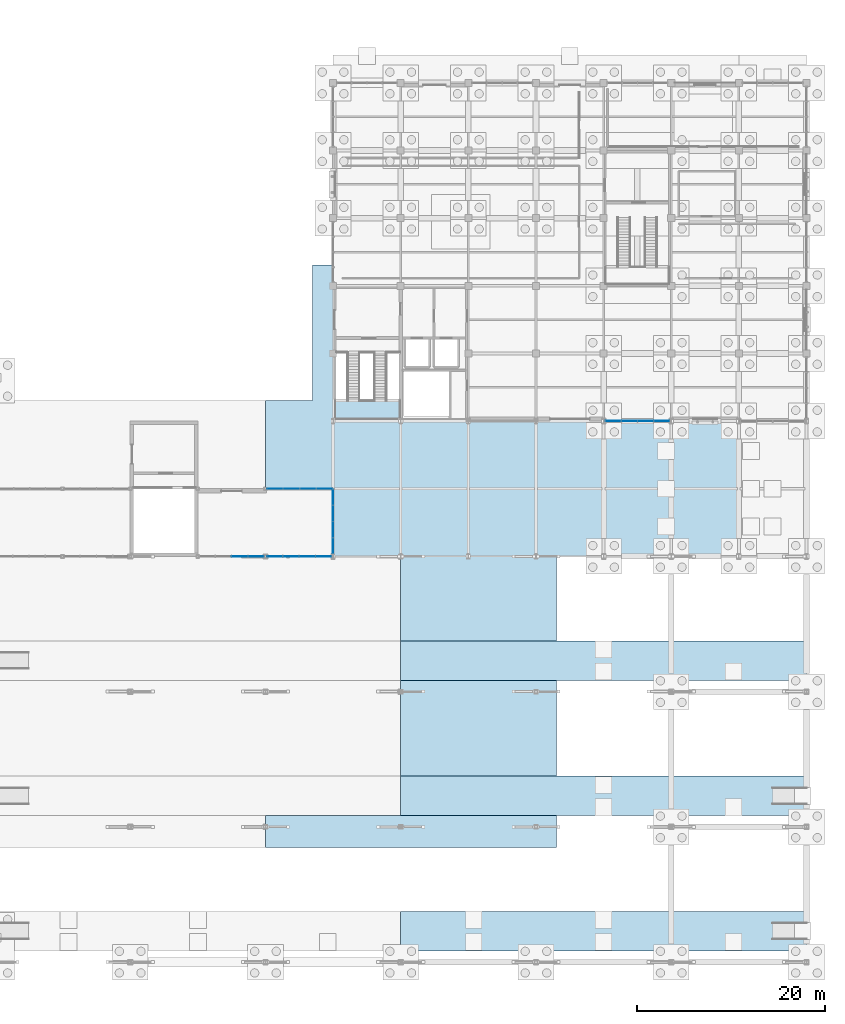
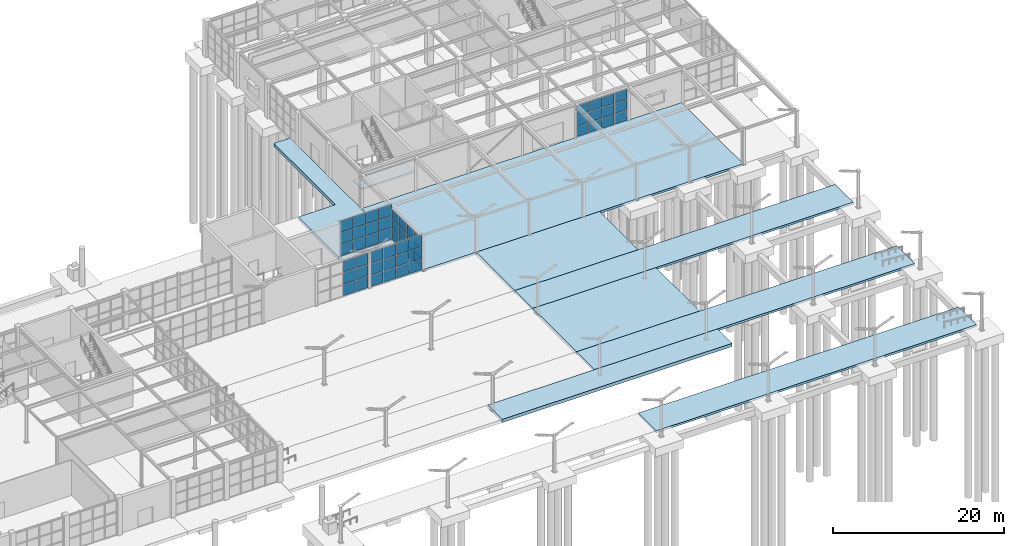
# One storey, part 49 of 75: 54 plates, 9 slabs, 6 elements without a shape of their own.
"""IFC4 building model written with IfcOpenShell, lengths in metres."""

from ifc_helpers import new_model, si_unit, direction, frame, origin, origin_2d, place, context, subcontext, project, spatial, polyline, rectangle, outline, extrude, material, layer, layer_set, type_object, element, aggregate, save


model = new_model("IFC4")

# Units and contexts
model_context = context("Model", 3, precision=1e-05, world=origin(), true_north=direction((0.0, 1.0)))
body_context = subcontext(model_context, "Body", "Model", "MODEL_VIEW")
ifc_project = project(units=[si_unit("LENGTHUNIT", "METRE"), si_unit("AREAUNIT", "SQUARE_METRE"), si_unit("VOLUMEUNIT", "CUBIC_METRE"), si_unit("PLANEANGLEUNIT", "RADIAN"), si_unit("MASSUNIT", "GRAM", prefix="KILO")], contexts=[model_context])

# Site, building, storey
site_placement = place(None, origin())
site = spatial("IfcSite", under=ifc_project, at=site_placement, CompositionType="ELEMENT")
building_placement = place(site_placement, origin())
building = spatial("IfcBuilding", under=site, at=building_placement, Name="Leyfeld Transit Interchange", CompositionType="ELEMENT")
storey_placement = place(building_placement, origin())
storey = spatial("IfcBuildingStorey", under=building, at=storey_placement, Name="L00", CompositionType="ELEMENT", Elevation=0.0)

# Curtain wall, plates
ifc_material_1 = material(Name="Anodised aluminium EN AW-6060 T66", Category="aluminium")
curtain_wall_type_1 = type_object("IfcCurtainWallType", Name="CW-SYS-BUS-7200", PredefinedType="NOTDEFINED", material=ifc_material_1)
curtain_wall_1_placement = place(storey_placement, origin())
curtain_wall_1 = element("IfcCurtainWall", 1, at=curtain_wall_1_placement, inside=storey, type_object=curtain_wall_type_1, Name="Curtain Wall CW-L00-048", PredefinedType="NOTDEFINED")
ifc_material_2 = material(Name="Laminated safety acoustic glazing", Category="glass")
ifc_layer_1 = layer(ifc_material_2, 0.048095703125, Name="Laminated safety acoustic glazing")
ifc_layer_set_1 = layer_set([ifc_layer_1], Name="Laminated safety acoustic glazing")
plate_type_1 = type_object("IfcPlateType", Name="CW-PNL-ACU-48", PredefinedType="CURTAIN_PANEL", material=ifc_layer_set_1)
plate_1_placement = place(storey_placement, frame((171.7763671875, 57.60009765625, 0.0732421875), z_axis=(0.0, 0.0, 1.0), x_axis=(-1.0, 0.0, 0.0)))
plate_1 = element("IfcPlate", 2, at=plate_1_placement, type_object=plate_type_1, Name="Glazed Curtain Panel CW-L00-048-P01_1", PredefinedType="CURTAIN_PANEL", context=body_context, shape_type="SweptSolid", body=[
    extrude(rectangle(XDim=1.62060546875, YDim=0.048095703125, at=origin_2d()), origin(), (0.0, 0.0, 1.0), 1.436279296875),
])
plate_2_placement = place(storey_placement, frame((171.7763671875, 57.60009765625, 1.58203125), z_axis=(0.0, 0.0, 1.0), x_axis=(-1.0, 0.0, 0.0)))
plate_2 = element("IfcPlate", 3, at=plate_2_placement, type_object=plate_type_1, Name="Glazed Curtain Panel CW-L00-048-P01_2", PredefinedType="CURTAIN_PANEL", context=body_context, shape_type="SweptSolid", body=[
    extrude(rectangle(XDim=1.62060546875, YDim=0.048095703125, at=origin_2d()), origin(), (0.0, 0.0, 1.0), 1.436279296875),
])
plate_3_placement = place(storey_placement, frame((171.7763671875, 57.60009765625, 3.09033203125), z_axis=(0.0, 0.0, 1.0), x_axis=(-1.0, 0.0, 0.0)))
plate_3 = element("IfcPlate", 4, at=plate_3_placement, type_object=plate_type_1, Name="Glazed Curtain Panel CW-L00-048-P01_3", PredefinedType="CURTAIN_PANEL", context=body_context, shape_type="SweptSolid", body=[
    extrude(rectangle(XDim=1.62060546875, YDim=0.048095703125, at=origin_2d()), origin(), (0.0, 0.0, 1.0), 1.436279296875),
])
plate_4_placement = place(storey_placement, frame((170.06494140625, 57.60009765625, 0.0732421875), z_axis=(0.0, 0.0, 1.0), x_axis=(-1.0, 0.0, 0.0)))
plate_4 = element("IfcPlate", 5, at=plate_4_placement, type_object=plate_type_1, Name="Glazed Curtain Panel CW-L00-048-P02_1", PredefinedType="CURTAIN_PANEL", context=body_context, shape_type="SweptSolid", body=[
    extrude(rectangle(XDim=1.657958984375, YDim=0.048095703125, at=origin_2d()), origin(), (0.0, 0.0, 1.0), 1.436279296875),
])
plate_5_placement = place(storey_placement, frame((170.06494140625, 57.60009765625, 1.58203125), z_axis=(0.0, 0.0, 1.0), x_axis=(-1.0, 0.0, 0.0)))
plate_5 = element("IfcPlate", 6, at=plate_5_placement, type_object=plate_type_1, Name="Glazed Curtain Panel CW-L00-048-P02_2", PredefinedType="CURTAIN_PANEL", context=body_context, shape_type="SweptSolid", body=[
    extrude(rectangle(XDim=1.657958984375, YDim=0.048095703125, at=origin_2d()), origin(), (0.0, 0.0, 1.0), 1.436279296875),
])
plate_6_placement = place(storey_placement, frame((170.06494140625, 57.60009765625, 3.09033203125), z_axis=(0.0, 0.0, 1.0), x_axis=(-1.0, 0.0, 0.0)))
plate_6 = element("IfcPlate", 7, at=plate_6_placement, type_object=plate_type_1, Name="Glazed Curtain Panel CW-L00-048-P02_3", PredefinedType="CURTAIN_PANEL", context=body_context, shape_type="SweptSolid", body=[
    extrude(rectangle(XDim=1.657958984375, YDim=0.048095703125, at=origin_2d()), origin(), (0.0, 0.0, 1.0), 1.436279296875),
])
plate_7_placement = place(storey_placement, frame((168.3349609375, 57.60009765625, 0.0732421875), z_axis=(0.0, 0.0, 1.0), x_axis=(-1.0, 0.0, 0.0)))
plate_7 = element("IfcPlate", 8, at=plate_7_placement, type_object=plate_type_1, Name="Glazed Curtain Panel CW-L00-048-P03_1", PredefinedType="CURTAIN_PANEL", context=body_context, shape_type="SweptSolid", body=[
    extrude(rectangle(XDim=1.657958984375, YDim=0.048095703125, at=origin_2d()), origin(), (0.0, 0.0, 1.0), 1.436279296875),
])
plate_8_placement = place(storey_placement, frame((168.3349609375, 57.60009765625, 1.58203125), z_axis=(0.0, 0.0, 1.0), x_axis=(-1.0, 0.0, 0.0)))
plate_8 = element("IfcPlate", 9, at=plate_8_placement, type_object=plate_type_1, Name="Glazed Curtain Panel CW-L00-048-P03_2", PredefinedType="CURTAIN_PANEL", context=body_context, shape_type="SweptSolid", body=[
    extrude(rectangle(XDim=1.657958984375, YDim=0.048095703125, at=origin_2d()), origin(), (0.0, 0.0, 1.0), 1.436279296875),
])
plate_9_placement = place(storey_placement, frame((168.3349609375, 57.60009765625, 3.09033203125), z_axis=(0.0, 0.0, 1.0), x_axis=(-1.0, 0.0, 0.0)))
plate_9 = element("IfcPlate", 10, at=plate_9_placement, type_object=plate_type_1, Name="Glazed Curtain Panel CW-L00-048-P03_3", PredefinedType="CURTAIN_PANEL", context=body_context, shape_type="SweptSolid", body=[
    extrude(rectangle(XDim=1.657958984375, YDim=0.048095703125, at=origin_2d()), origin(), (0.0, 0.0, 1.0), 1.436279296875),
])
plate_10_placement = place(storey_placement, frame((166.623779296875, 57.60009765625, 0.0732421875), z_axis=(0.0, 0.0, 1.0), x_axis=(-1.0, 0.0, 0.0)))
plate_10 = element("IfcPlate", 11, at=plate_10_placement, type_object=plate_type_1, Name="Glazed Curtain Panel CW-L00-048-P04_1", PredefinedType="CURTAIN_PANEL", context=body_context, shape_type="SweptSolid", body=[
    extrude(rectangle(XDim=1.62060546875, YDim=0.048095703125, at=origin_2d()), origin(), (0.0, 0.0, 1.0), 1.436279296875),
])
plate_11_placement = place(storey_placement, frame((166.623779296875, 57.60009765625, 1.58203125), z_axis=(0.0, 0.0, 1.0), x_axis=(-1.0, 0.0, 0.0)))
plate_11 = element("IfcPlate", 12, at=plate_11_placement, type_object=plate_type_1, Name="Glazed Curtain Panel CW-L00-048-P04_2", PredefinedType="CURTAIN_PANEL", context=body_context, shape_type="SweptSolid", body=[
    extrude(rectangle(XDim=1.62060546875, YDim=0.048095703125, at=origin_2d()), origin(), (0.0, 0.0, 1.0), 1.436279296875),
])
plate_12_placement = place(storey_placement, frame((166.623779296875, 57.60009765625, 3.09033203125), z_axis=(0.0, 0.0, 1.0), x_axis=(-1.0, 0.0, 0.0)))
plate_12 = element("IfcPlate", 13, at=plate_12_placement, type_object=plate_type_1, Name="Glazed Curtain Panel CW-L00-048-P04_3", PredefinedType="CURTAIN_PANEL", context=body_context, shape_type="SweptSolid", body=[
    extrude(rectangle(XDim=1.62060546875, YDim=0.048095703125, at=origin_2d()), origin(), (0.0, 0.0, 1.0), 1.436279296875),
])
aggregate(curtain_wall_1, [plate_1, plate_2, plate_3, plate_4, plate_5, plate_6, plate_7, plate_8, plate_9, plate_10, plate_11, plate_12])

curtain_wall_type_2 = type_object("IfcCurtainWallType", Name="CW-SYS-PAS-7200", PredefinedType="NOTDEFINED", material=ifc_material_1)
curtain_wall_2_placement = place(storey_placement, origin())
curtain_wall_2 = element("IfcCurtainWall", 14, at=curtain_wall_2_placement, inside=storey, type_object=curtain_wall_type_2, Name="Curtain Wall CW-L00-022", PredefinedType="NOTDEFINED")
ifc_material_3 = material(Name="Triple low-E insulated glazing", Category="glass")
ifc_layer_2 = layer(ifc_material_3, 0.0380859375, Name="Triple low-E insulated glazing")
ifc_layer_set_2 = layer_set([ifc_layer_2], Name="Triple low-E insulated glazing")
plate_type_2 = type_object("IfcPlateType", Name="CW-PNL-GLZ-38", PredefinedType="CURTAIN_PANEL", material=ifc_layer_set_2)
plate_13_placement = place(storey_placement, frame((130.61572265625, 50.39990234375, 0.073486328125), z_axis=(0.0, 0.0, 1.0), x_axis=(1.0, 0.0, 0.0)))
plate_13 = element("IfcPlate", 15, at=plate_13_placement, type_object=plate_type_2, Name="Glazed Curtain Panel CW-L00-022-P01_1", PredefinedType="CURTAIN_PANEL", context=body_context, shape_type="SweptSolid", body=[
    extrude(rectangle(XDim=1.654296875, YDim=0.0380859375, at=origin_2d()), origin(), (0.0, 0.0, 1.0), 1.60302734375),
])
plate_14_placement = place(storey_placement, frame((130.61572265625, 50.39990234375, 1.74853515625), z_axis=(0.0, 0.0, 1.0), x_axis=(1.0, 0.0, 0.0)))
plate_14 = element("IfcPlate", 16, at=plate_14_placement, type_object=plate_type_2, Name="Glazed Curtain Panel CW-L00-022-P01_2", PredefinedType="CURTAIN_PANEL", context=body_context, shape_type="SweptSolid", body=[
    extrude(rectangle(XDim=1.654296875, YDim=0.0380859375, at=origin_2d()), origin(), (0.0, 0.0, 1.0), 1.60302734375),
])
plate_15_placement = place(storey_placement, frame((130.61572265625, 50.39990234375, 3.423583984375), z_axis=(0.0, 0.0, 1.0), x_axis=(1.0, 0.0, 0.0)))
plate_15 = element("IfcPlate", 17, at=plate_15_placement, type_object=plate_type_2, Name="Glazed Curtain Panel CW-L00-022-P01_3", PredefinedType="CURTAIN_PANEL", context=body_context, shape_type="SweptSolid", body=[
    extrude(rectangle(XDim=1.654296875, YDim=0.0380859375, at=origin_2d()), origin(), (0.0, 0.0, 1.0), 1.60302734375),
])
plate_16_placement = place(storey_placement, frame((132.360595703125, 50.39990234375, 0.073486328125), z_axis=(0.0, 0.0, 1.0), x_axis=(1.0, 0.0, 0.0)))
plate_16 = element("IfcPlate", 18, at=plate_16_placement, type_object=plate_type_2, Name="Glazed Curtain Panel CW-L00-022-P02_1", PredefinedType="CURTAIN_PANEL", context=body_context, shape_type="SweptSolid", body=[
    extrude(rectangle(XDim=1.691650390625, YDim=0.0380859375, at=origin_2d()), origin(), (0.0, 0.0, 1.0), 1.60302734375),
])
plate_17_placement = place(storey_placement, frame((132.360595703125, 50.39990234375, 1.74853515625), z_axis=(0.0, 0.0, 1.0), x_axis=(1.0, 0.0, 0.0)))
plate_17 = element("IfcPlate", 19, at=plate_17_placement, type_object=plate_type_2, Name="Glazed Curtain Panel CW-L00-022-P02_2", PredefinedType="CURTAIN_PANEL", context=body_context, shape_type="SweptSolid", body=[
    extrude(rectangle(XDim=1.691650390625, YDim=0.0380859375, at=origin_2d()), origin(), (0.0, 0.0, 1.0), 1.60302734375),
])
plate_18_placement = place(storey_placement, frame((132.360595703125, 50.39990234375, 3.423583984375), z_axis=(0.0, 0.0, 1.0), x_axis=(1.0, 0.0, 0.0)))
plate_18 = element("IfcPlate", 20, at=plate_18_placement, type_object=plate_type_2, Name="Glazed Curtain Panel CW-L00-022-P02_3", PredefinedType="CURTAIN_PANEL", context=body_context, shape_type="SweptSolid", body=[
    extrude(rectangle(XDim=1.691650390625, YDim=0.0380859375, at=origin_2d()), origin(), (0.0, 0.0, 1.0), 1.60302734375),
])
plate_19_placement = place(storey_placement, frame((134.12451171875, 50.39990234375, 0.073486328125), z_axis=(0.0, 0.0, 1.0), x_axis=(1.0, 0.0, 0.0)))
plate_19 = element("IfcPlate", 21, at=plate_19_placement, type_object=plate_type_2, Name="Glazed Curtain Panel CW-L00-022-P03_1", PredefinedType="CURTAIN_PANEL", context=body_context, shape_type="SweptSolid", body=[
    extrude(rectangle(XDim=1.69189453125, YDim=0.0380859375, at=origin_2d()), origin(), (0.0, 0.0, 1.0), 1.60302734375),
])
plate_20_placement = place(storey_placement, frame((134.12451171875, 50.39990234375, 1.74853515625), z_axis=(0.0, 0.0, 1.0), x_axis=(1.0, 0.0, 0.0)))
plate_20 = element("IfcPlate", 22, at=plate_20_placement, type_object=plate_type_2, Name="Glazed Curtain Panel CW-L00-022-P03_2", PredefinedType="CURTAIN_PANEL", context=body_context, shape_type="SweptSolid", body=[
    extrude(rectangle(XDim=1.69189453125, YDim=0.0380859375, at=origin_2d()), origin(), (0.0, 0.0, 1.0), 1.60302734375),
])
plate_21_placement = place(storey_placement, frame((134.12451171875, 50.39990234375, 3.423583984375), z_axis=(0.0, 0.0, 1.0), x_axis=(1.0, 0.0, 0.0)))
plate_21 = element("IfcPlate", 23, at=plate_21_placement, type_object=plate_type_2, Name="Glazed Curtain Panel CW-L00-022-P03_3", PredefinedType="CURTAIN_PANEL", context=body_context, shape_type="SweptSolid", body=[
    extrude(rectangle(XDim=1.69189453125, YDim=0.0380859375, at=origin_2d()), origin(), (0.0, 0.0, 1.0), 1.60302734375),
])
plate_22_placement = place(storey_placement, frame((135.869384765625, 50.39990234375, 0.073486328125), z_axis=(0.0, 0.0, 1.0), x_axis=(1.0, 0.0, 0.0)))
plate_22 = element("IfcPlate", 24, at=plate_22_placement, type_object=plate_type_2, Name="Glazed Curtain Panel CW-L00-022-P04_1", PredefinedType="CURTAIN_PANEL", context=body_context, shape_type="SweptSolid", body=[
    extrude(rectangle(XDim=1.654296875, YDim=0.0380859375, at=origin_2d()), origin(), (0.0, 0.0, 1.0), 1.60302734375),
])
plate_23_placement = place(storey_placement, frame((135.869384765625, 50.39990234375, 1.74853515625), z_axis=(0.0, 0.0, 1.0), x_axis=(1.0, 0.0, 0.0)))
plate_23 = element("IfcPlate", 25, at=plate_23_placement, type_object=plate_type_2, Name="Glazed Curtain Panel CW-L00-022-P04_2", PredefinedType="CURTAIN_PANEL", context=body_context, shape_type="SweptSolid", body=[
    extrude(rectangle(XDim=1.654296875, YDim=0.0380859375, at=origin_2d()), origin(), (0.0, 0.0, 1.0), 1.60302734375),
])
plate_24_placement = place(storey_placement, frame((135.869384765625, 50.39990234375, 3.423583984375), z_axis=(0.0, 0.0, 1.0), x_axis=(1.0, 0.0, 0.0)))
plate_24 = element("IfcPlate", 26, at=plate_24_placement, type_object=plate_type_2, Name="Glazed Curtain Panel CW-L00-022-P04_3", PredefinedType="CURTAIN_PANEL", context=body_context, shape_type="SweptSolid", body=[
    extrude(rectangle(XDim=1.654296875, YDim=0.0380859375, at=origin_2d()), origin(), (0.0, 0.0, 1.0), 1.60302734375),
])
aggregate(curtain_wall_2, [plate_13, plate_14, plate_15, plate_16, plate_17, plate_18, plate_19, plate_20, plate_21, plate_22, plate_23, plate_24])

curtain_wall_3_placement = place(storey_placement, origin())
curtain_wall_3 = element("IfcCurtainWall", 27, at=curtain_wall_3_placement, inside=storey, type_object=curtain_wall_type_2, Name="Curtain Wall CW-L00-023", PredefinedType="NOTDEFINED")
plate_25_placement = place(storey_placement, frame((136.800048828125, 49.485107421875, 0.073486328125), z_axis=(0.0, 0.0, 1.0), x_axis=(0.0, -1.0, 0.0)))
plate_25 = element("IfcPlate", 28, at=plate_25_placement, type_object=plate_type_2, Name="Glazed Curtain Panel CW-L00-023-P01_1", PredefinedType="CURTAIN_PANEL", context=body_context, shape_type="SweptSolid", body=[
    extrude(rectangle(XDim=1.623046875, YDim=0.0380859375, at=origin_2d()), origin(), (0.0, 0.0, 1.0), 1.36962890625),
])
plate_26_placement = place(storey_placement, frame((136.800048828125, 49.485107421875, 1.51513671875), z_axis=(0.0, 0.0, 1.0), x_axis=(0.0, -1.0, 0.0)))
plate_26 = element("IfcPlate", 29, at=plate_26_placement, type_object=plate_type_2, Name="Glazed Curtain Panel CW-L00-023-P01_2", PredefinedType="CURTAIN_PANEL", context=body_context, shape_type="SweptSolid", body=[
    extrude(rectangle(XDim=1.623046875, YDim=0.0380859375, at=origin_2d()), origin(), (0.0, 0.0, 1.0), 1.36962890625),
])
plate_27_placement = place(storey_placement, frame((136.800048828125, 49.485107421875, 2.956787109375), z_axis=(0.0, 0.0, 1.0), x_axis=(0.0, -1.0, 0.0)))
plate_27 = element("IfcPlate", 30, at=plate_27_placement, type_object=plate_type_2, Name="Glazed Curtain Panel CW-L00-023-P01_3", PredefinedType="CURTAIN_PANEL", context=body_context, shape_type="SweptSolid", body=[
    extrude(rectangle(XDim=1.623046875, YDim=0.0380859375, at=origin_2d()), origin(), (0.0, 0.0, 1.0), 1.36962890625),
])
plate_28_placement = place(storey_placement, frame((136.800048828125, 47.771240234375, 0.073486328125), z_axis=(0.0, 0.0, 1.0), x_axis=(0.0, -1.0, 0.0)))
plate_28 = element("IfcPlate", 31, at=plate_28_placement, type_object=plate_type_2, Name="Glazed Curtain Panel CW-L00-023-P02_1", PredefinedType="CURTAIN_PANEL", context=body_context, shape_type="SweptSolid", body=[
    extrude(rectangle(XDim=1.660400390625, YDim=0.0380859375, at=origin_2d()), origin(), (0.0, 0.0, 1.0), 1.36962890625),
])
plate_29_placement = place(storey_placement, frame((136.800048828125, 47.771240234375, 1.51513671875), z_axis=(0.0, 0.0, 1.0), x_axis=(0.0, -1.0, 0.0)))
plate_29 = element("IfcPlate", 32, at=plate_29_placement, type_object=plate_type_2, Name="Glazed Curtain Panel CW-L00-023-P02_2", PredefinedType="CURTAIN_PANEL", context=body_context, shape_type="SweptSolid", body=[
    extrude(rectangle(XDim=1.660400390625, YDim=0.0380859375, at=origin_2d()), origin(), (0.0, 0.0, 1.0), 1.36962890625),
])
plate_30_placement = place(storey_placement, frame((136.800048828125, 47.771240234375, 2.956787109375), z_axis=(0.0, 0.0, 1.0), x_axis=(0.0, -1.0, 0.0)))
plate_30 = element("IfcPlate", 33, at=plate_30_placement, type_object=plate_type_2, Name="Glazed Curtain Panel CW-L00-023-P02_3", PredefinedType="CURTAIN_PANEL", context=body_context, shape_type="SweptSolid", body=[
    extrude(rectangle(XDim=1.660400390625, YDim=0.0380859375, at=origin_2d()), origin(), (0.0, 0.0, 1.0), 1.36962890625),
])
plate_31_placement = place(storey_placement, frame((136.800048828125, 46.038818359375, 0.073486328125), z_axis=(0.0, 0.0, 1.0), x_axis=(0.0, -1.0, 0.0)))
plate_31 = element("IfcPlate", 34, at=plate_31_placement, type_object=plate_type_2, Name="Glazed Curtain Panel CW-L00-023-P03_1", PredefinedType="CURTAIN_PANEL", context=body_context, shape_type="SweptSolid", body=[
    extrude(rectangle(XDim=1.660400390625, YDim=0.0380859375, at=origin_2d()), origin(), (0.0, 0.0, 1.0), 1.36962890625),
])
plate_32_placement = place(storey_placement, frame((136.800048828125, 46.038818359375, 1.51513671875), z_axis=(0.0, 0.0, 1.0), x_axis=(0.0, -1.0, 0.0)))
plate_32 = element("IfcPlate", 35, at=plate_32_placement, type_object=plate_type_2, Name="Glazed Curtain Panel CW-L00-023-P03_2", PredefinedType="CURTAIN_PANEL", context=body_context, shape_type="SweptSolid", body=[
    extrude(rectangle(XDim=1.660400390625, YDim=0.0380859375, at=origin_2d()), origin(), (0.0, 0.0, 1.0), 1.36962890625),
])
plate_33_placement = place(storey_placement, frame((136.800048828125, 46.038818359375, 2.956787109375), z_axis=(0.0, 0.0, 1.0), x_axis=(0.0, -1.0, 0.0)))
plate_33 = element("IfcPlate", 36, at=plate_33_placement, type_object=plate_type_2, Name="Glazed Curtain Panel CW-L00-023-P03_3", PredefinedType="CURTAIN_PANEL", context=body_context, shape_type="SweptSolid", body=[
    extrude(rectangle(XDim=1.660400390625, YDim=0.0380859375, at=origin_2d()), origin(), (0.0, 0.0, 1.0), 1.36962890625),
])
plate_34_placement = place(storey_placement, frame((136.800048828125, 44.324951171875, 0.073486328125), z_axis=(0.0, 0.0, 1.0), x_axis=(0.0, -1.0, 0.0)))
plate_34 = element("IfcPlate", 37, at=plate_34_placement, type_object=plate_type_2, Name="Glazed Curtain Panel CW-L00-023-P04_1", PredefinedType="CURTAIN_PANEL", context=body_context, shape_type="SweptSolid", body=[
    extrude(rectangle(XDim=1.623046875, YDim=0.0380859375, at=origin_2d()), origin(), (0.0, 0.0, 1.0), 1.36962890625),
])
plate_35_placement = place(storey_placement, frame((136.800048828125, 44.324951171875, 1.51513671875), z_axis=(0.0, 0.0, 1.0), x_axis=(0.0, -1.0, 0.0)))
plate_35 = element("IfcPlate", 38, at=plate_35_placement, type_object=plate_type_2, Name="Glazed Curtain Panel CW-L00-023-P04_2", PredefinedType="CURTAIN_PANEL", context=body_context, shape_type="SweptSolid", body=[
    extrude(rectangle(XDim=1.623046875, YDim=0.0380859375, at=origin_2d()), origin(), (0.0, 0.0, 1.0), 1.36962890625),
])
plate_36_placement = place(storey_placement, frame((136.800048828125, 44.324951171875, 2.956787109375), z_axis=(0.0, 0.0, 1.0), x_axis=(0.0, -1.0, 0.0)))
plate_36 = element("IfcPlate", 39, at=plate_36_placement, type_object=plate_type_2, Name="Glazed Curtain Panel CW-L00-023-P04_3", PredefinedType="CURTAIN_PANEL", context=body_context, shape_type="SweptSolid", body=[
    extrude(rectangle(XDim=1.623046875, YDim=0.0380859375, at=origin_2d()), origin(), (0.0, 0.0, 1.0), 1.36962890625),
])
aggregate(curtain_wall_3, [plate_25, plate_26, plate_27, plate_28, plate_29, plate_30, plate_31, plate_32, plate_33, plate_34, plate_35, plate_36])

curtain_wall_4_placement = place(storey_placement, origin())
curtain_wall_4 = element("IfcCurtainWall", 40, at=curtain_wall_4_placement, inside=storey, type_object=curtain_wall_type_2, Name="Curtain Wall CW-L00-024", PredefinedType="NOTDEFINED")
plate_37_placement = place(storey_placement, frame((135.773193359375, 43.199951171875, 0.073486328125), z_axis=(0.0, 0.0, 1.0), x_axis=(-1.0, 0.0, 0.0)))
plate_37 = element("IfcPlate", 41, at=plate_37_placement, type_object=plate_type_2, Name="Glazed Curtain Panel CW-L00-024-P01_1", PredefinedType="CURTAIN_PANEL", context=body_context, shape_type="SweptSolid", body=[
    extrude(rectangle(XDim=1.626708984375, YDim=0.0380859375, at=origin_2d()), origin(), (0.0, 0.0, 1.0), 1.60302734375),
])
plate_38_placement = place(storey_placement, frame((135.773193359375, 43.199951171875, 1.74853515625), z_axis=(0.0, 0.0, 1.0), x_axis=(-1.0, 0.0, 0.0)))
plate_38 = element("IfcPlate", 42, at=plate_38_placement, type_object=plate_type_2, Name="Glazed Curtain Panel CW-L00-024-P01_2", PredefinedType="CURTAIN_PANEL", context=body_context, shape_type="SweptSolid", body=[
    extrude(rectangle(XDim=1.626708984375, YDim=0.0380859375, at=origin_2d()), origin(), (0.0, 0.0, 1.0), 1.60302734375),
])
plate_39_placement = place(storey_placement, frame((135.773193359375, 43.199951171875, 3.423583984375), z_axis=(0.0, 0.0, 1.0), x_axis=(-1.0, 0.0, 0.0)))
plate_39 = element("IfcPlate", 43, at=plate_39_placement, type_object=plate_type_2, Name="Glazed Curtain Panel CW-L00-024-P01_3", PredefinedType="CURTAIN_PANEL", context=body_context, shape_type="SweptSolid", body=[
    extrude(rectangle(XDim=1.626708984375, YDim=0.0380859375, at=origin_2d()), origin(), (0.0, 0.0, 1.0), 1.60302734375),
])
plate_40_placement = place(storey_placement, frame((134.0556640625, 43.199951171875, 0.073486328125), z_axis=(0.0, 0.0, 1.0), x_axis=(-1.0, 0.0, 0.0)))
plate_40 = element("IfcPlate", 44, at=plate_40_placement, type_object=plate_type_2, Name="Glazed Curtain Panel CW-L00-024-P02_1", PredefinedType="CURTAIN_PANEL", context=body_context, shape_type="SweptSolid", body=[
    extrude(rectangle(XDim=1.664306640625, YDim=0.0380859375, at=origin_2d()), origin(), (0.0, 0.0, 1.0), 1.60302734375),
])
plate_41_placement = place(storey_placement, frame((134.0556640625, 43.199951171875, 1.74853515625), z_axis=(0.0, 0.0, 1.0), x_axis=(-1.0, 0.0, 0.0)))
plate_41 = element("IfcPlate", 45, at=plate_41_placement, type_object=plate_type_2, Name="Glazed Curtain Panel CW-L00-024-P02_2", PredefinedType="CURTAIN_PANEL", context=body_context, shape_type="SweptSolid", body=[
    extrude(rectangle(XDim=1.664306640625, YDim=0.0380859375, at=origin_2d()), origin(), (0.0, 0.0, 1.0), 1.60302734375),
])
plate_42_placement = place(storey_placement, frame((134.0556640625, 43.199951171875, 3.423583984375), z_axis=(0.0, 0.0, 1.0), x_axis=(-1.0, 0.0, 0.0)))
plate_42 = element("IfcPlate", 46, at=plate_42_placement, type_object=plate_type_2, Name="Glazed Curtain Panel CW-L00-024-P02_3", PredefinedType="CURTAIN_PANEL", context=body_context, shape_type="SweptSolid", body=[
    extrude(rectangle(XDim=1.664306640625, YDim=0.0380859375, at=origin_2d()), origin(), (0.0, 0.0, 1.0), 1.60302734375),
])
plate_43_placement = place(storey_placement, frame((132.3193359375, 43.199951171875, 0.073486328125), z_axis=(0.0, 0.0, 1.0), x_axis=(-1.0, 0.0, 0.0)))
plate_43 = element("IfcPlate", 47, at=plate_43_placement, type_object=plate_type_2, Name="Glazed Curtain Panel CW-L00-024-P03_1", PredefinedType="CURTAIN_PANEL", context=body_context, shape_type="SweptSolid", body=[
    extrude(rectangle(XDim=1.664306640625, YDim=0.0380859375, at=origin_2d()), origin(), (0.0, 0.0, 1.0), 1.60302734375),
])
plate_44_placement = place(storey_placement, frame((132.3193359375, 43.199951171875, 1.74853515625), z_axis=(0.0, 0.0, 1.0), x_axis=(-1.0, 0.0, 0.0)))
plate_44 = element("IfcPlate", 48, at=plate_44_placement, type_object=plate_type_2, Name="Glazed Curtain Panel CW-L00-024-P03_2", PredefinedType="CURTAIN_PANEL", context=body_context, shape_type="SweptSolid", body=[
    extrude(rectangle(XDim=1.664306640625, YDim=0.0380859375, at=origin_2d()), origin(), (0.0, 0.0, 1.0), 1.60302734375),
])
plate_45_placement = place(storey_placement, frame((132.3193359375, 43.199951171875, 3.423583984375), z_axis=(0.0, 0.0, 1.0), x_axis=(-1.0, 0.0, 0.0)))
plate_45 = element("IfcPlate", 49, at=plate_45_placement, type_object=plate_type_2, Name="Glazed Curtain Panel CW-L00-024-P03_3", PredefinedType="CURTAIN_PANEL", context=body_context, shape_type="SweptSolid", body=[
    extrude(rectangle(XDim=1.664306640625, YDim=0.0380859375, at=origin_2d()), origin(), (0.0, 0.0, 1.0), 1.60302734375),
])
plate_46_placement = place(storey_placement, frame((130.601806640625, 43.199951171875, 0.073486328125), z_axis=(0.0, 0.0, 1.0), x_axis=(-1.0, 0.0, 0.0)))
plate_46 = element("IfcPlate", 50, at=plate_46_placement, type_object=plate_type_2, Name="Glazed Curtain Panel CW-L00-024-P04_1", PredefinedType="CURTAIN_PANEL", context=body_context, shape_type="SweptSolid", body=[
    extrude(rectangle(XDim=1.626708984375, YDim=0.0380859375, at=origin_2d()), origin(), (0.0, 0.0, 1.0), 1.60302734375),
])
plate_47_placement = place(storey_placement, frame((130.601806640625, 43.199951171875, 1.74853515625), z_axis=(0.0, 0.0, 1.0), x_axis=(-1.0, 0.0, 0.0)))
plate_47 = element("IfcPlate", 51, at=plate_47_placement, type_object=plate_type_2, Name="Glazed Curtain Panel CW-L00-024-P04_2", PredefinedType="CURTAIN_PANEL", context=body_context, shape_type="SweptSolid", body=[
    extrude(rectangle(XDim=1.626708984375, YDim=0.0380859375, at=origin_2d()), origin(), (0.0, 0.0, 1.0), 1.60302734375),
])
plate_48_placement = place(storey_placement, frame((130.601806640625, 43.199951171875, 3.423583984375), z_axis=(0.0, 0.0, 1.0), x_axis=(-1.0, 0.0, 0.0)))
plate_48 = element("IfcPlate", 52, at=plate_48_placement, type_object=plate_type_2, Name="Glazed Curtain Panel CW-L00-024-P04_3", PredefinedType="CURTAIN_PANEL", context=body_context, shape_type="SweptSolid", body=[
    extrude(rectangle(XDim=1.626708984375, YDim=0.0380859375, at=origin_2d()), origin(), (0.0, 0.0, 1.0), 1.60302734375),
])
aggregate(curtain_wall_4, [plate_37, plate_38, plate_39, plate_40, plate_41, plate_42, plate_43, plate_44, plate_45, plate_46, plate_47, plate_48])

curtain_wall_5_placement = place(storey_placement, origin())
curtain_wall_5 = element("IfcCurtainWall", 53, at=curtain_wall_5_placement, inside=storey, type_object=curtain_wall_type_2, Name="Curtain Wall CW-L00-025", PredefinedType="NOTDEFINED")
plate_49_placement = place(storey_placement, frame((128.594970703125, 43.199951171875, 0.073486328125), z_axis=(0.0, 0.0, 1.0), x_axis=(-1.0, 0.0, 0.0)))
plate_49 = element("IfcPlate", 54, at=plate_49_placement, type_object=plate_type_2, Name="Glazed Curtain Panel CW-L00-025-P01_1", PredefinedType="CURTAIN_PANEL", context=body_context, shape_type="SweptSolid", body=[
    extrude(rectangle(XDim=1.633056640625, YDim=0.0380859375, at=origin_2d()), origin(), (0.0, 0.0, 1.0), 1.60302734375),
])
plate_50_placement = place(storey_placement, frame((128.594970703125, 43.199951171875, 1.74853515625), z_axis=(0.0, 0.0, 1.0), x_axis=(-1.0, 0.0, 0.0)))
plate_50 = element("IfcPlate", 55, at=plate_50_placement, type_object=plate_type_2, Name="Glazed Curtain Panel CW-L00-025-P01_2", PredefinedType="CURTAIN_PANEL", context=body_context, shape_type="SweptSolid", body=[
    extrude(rectangle(XDim=1.633056640625, YDim=0.0380859375, at=origin_2d()), origin(), (0.0, 0.0, 1.0), 1.60302734375),
])
plate_51_placement = place(storey_placement, frame((128.594970703125, 43.199951171875, 3.423583984375), z_axis=(0.0, 0.0, 1.0), x_axis=(-1.0, 0.0, 0.0)))
plate_51 = element("IfcPlate", 56, at=plate_51_placement, type_object=plate_type_2, Name="Glazed Curtain Panel CW-L00-025-P01_3", PredefinedType="CURTAIN_PANEL", context=body_context, shape_type="SweptSolid", body=[
    extrude(rectangle(XDim=1.633056640625, YDim=0.0380859375, at=origin_2d()), origin(), (0.0, 0.0, 1.0), 1.60302734375),
])
plate_52_placement = place(storey_placement, frame((126.871337890625, 43.199951171875, 0.073486328125), z_axis=(0.0, 0.0, 1.0), x_axis=(-1.0, 0.0, 0.0)))
plate_52 = element("IfcPlate", 57, at=plate_52_placement, type_object=plate_type_2, Name="Glazed Curtain Panel CW-L00-025-P02_1", PredefinedType="CURTAIN_PANEL", context=body_context, shape_type="SweptSolid", body=[
    extrude(rectangle(XDim=1.67041015625, YDim=0.0380859375, at=origin_2d()), origin(), (0.0, 0.0, 1.0), 1.60302734375),
])
plate_53_placement = place(storey_placement, frame((126.871337890625, 43.199951171875, 1.74853515625), z_axis=(0.0, 0.0, 1.0), x_axis=(-1.0, 0.0, 0.0)))
plate_53 = element("IfcPlate", 58, at=plate_53_placement, type_object=plate_type_2, Name="Glazed Curtain Panel CW-L00-025-P02_2", PredefinedType="CURTAIN_PANEL", context=body_context, shape_type="SweptSolid", body=[
    extrude(rectangle(XDim=1.67041015625, YDim=0.0380859375, at=origin_2d()), origin(), (0.0, 0.0, 1.0), 1.60302734375),
])
plate_54_placement = place(storey_placement, frame((126.871337890625, 43.199951171875, 3.423583984375), z_axis=(0.0, 0.0, 1.0), x_axis=(-1.0, 0.0, 0.0)))
plate_54 = element("IfcPlate", 59, at=plate_54_placement, type_object=plate_type_2, Name="Glazed Curtain Panel CW-L00-025-P02_3", PredefinedType="CURTAIN_PANEL", context=body_context, shape_type="SweptSolid", body=[
    extrude(rectangle(XDim=1.67041015625, YDim=0.0380859375, at=origin_2d()), origin(), (0.0, 0.0, 1.0), 1.60302734375),
])
aggregate(curtain_wall_5, [plate_49, plate_50, plate_51, plate_52, plate_53, plate_54])

# Stair, slab
ifc_material_4 = material(Name="Precast concrete C40/50", Category="concrete")
stair_type = type_object("IfcStairType", Name="STR-HT-150x300", PredefinedType="HALF_TURN_STAIR", material=ifc_material_4)
stair_placement = place(storey_placement, origin())
stair = element("IfcStair", 60, at=stair_placement, inside=storey, type_object=stair_type, Name="Exit Stair ST-04 (L00 to L01)", PredefinedType="HALF_TURN_STAIR")
ifc_layer_3 = layer(ifc_material_4, 0.199951171875, Name="Precast concrete C40/50")
ifc_layer_set_3 = layer_set([ifc_layer_3], Name="Precast concrete C40/50")
slab_type_1 = type_object("IfcSlabType", Name="SLB-LND-200", PredefinedType="LANDING", material=ifc_layer_set_3)
slab_1_placement = place(storey_placement, frame((0.0, 0.0, 2.5)))
slab_1 = element("IfcSlab", 61, at=slab_1_placement, type_object=slab_type_1, Name="Stair ST-04 L00 Half Landing", PredefinedType="LANDING", context=body_context, shape_type="SweptSolid", body=[
    extrude(outline(polyline([(136.955078125, 57.7548828125), (143.9951171875, 57.7548828125), (143.9951171875, 59.800048828125), (136.955078125, 59.800048828125), (136.955078125, 57.7548828125)])), origin(), (0.0, 0.0, 1.0), 0.199951171875),
])
aggregate(stair, [slab_1])

# Slabs
ifc_material_5 = material(Name="Concrete C35/45", Category="concrete")
ifc_layer_4 = layer(ifc_material_5, 0.300048828125, Name="Concrete C35/45")
ifc_layer_set_4 = layer_set([ifc_layer_4], Name="Concrete C35/45")
slab_type_2 = type_object("IfcSlabType", Name="SLB-TERR-300", PredefinedType="FLOOR", material=ifc_layer_set_4)
slab_2_placement = place(storey_placement, frame((0.0, 0.0, -0.300048828125)))
element("IfcSlab", 62, at=slab_2_placement, inside=storey, type_object=slab_type_2, Name="Outdoor Roof Terrace V2_ISL1 L00", PredefinedType="FLOOR", context=body_context, shape_type="SweptSolid", body=[
    extrude(outline(polyline([(187.199951171875, 5.39990234375), (144.0, 5.39990234375), (144.0, 1.199951171875), (187.199951171875, 1.199951171875), (187.199951171875, 5.39990234375)])), origin(), (0.0, 0.0, 1.0), 0.300048828125),
])
slab_3_placement = place(storey_placement, frame((0.0, 0.0, -0.300048828125)))
element("IfcSlab", 63, at=slab_3_placement, inside=storey, type_object=slab_type_2, Name="Outdoor Roof Terrace V2_ISL2 L00", PredefinedType="FLOOR", context=body_context, shape_type="SweptSolid", body=[
    extrude(outline(polyline([(187.199951171875, 19.800048828125), (144.0, 19.800048828125), (144.0, 15.60009765625), (187.199951171875, 15.60009765625), (187.199951171875, 19.800048828125)])), origin(), (0.0, 0.0, 1.0), 0.300048828125),
])
slab_4_placement = place(storey_placement, frame((0.0, 0.0, -0.300048828125)))
element("IfcSlab", 64, at=slab_4_placement, inside=storey, type_object=slab_type_2, Name="Outdoor Roof Terrace V2_ISL3 L00", PredefinedType="FLOOR", context=body_context, shape_type="SweptSolid", body=[
    extrude(outline(polyline([(187.199951171875, 34.199951171875), (144.0, 34.199951171875), (144.0, 30.0), (187.199951171875, 30.0), (187.199951171875, 34.199951171875)])), origin(), (0.0, 0.0, 1.0), 0.300048828125),
])
slab_5_placement = place(storey_placement, frame((0.0, 0.0, -0.300048828125)))
element("IfcSlab", 65, at=slab_5_placement, inside=storey, type_object=slab_type_2, Name="Outdoor Roof Terrace V4_APRON L00", PredefinedType="FLOOR", context=body_context, shape_type="SweptSolid", body=[
    extrude(outline(polyline([(136.800048828125, 57.60009765625), (136.800048828125, 43.199951171875), (180.0, 43.199951171875), (180.0, 57.60009765625), (136.800048828125, 57.60009765625)])), origin(), (0.0, 0.0, 1.0), 0.300048828125),
])
ifc_material_6 = material(Name="Concrete C40/50", Category="concrete")
ifc_layer_5 = layer(ifc_material_6, 0.449951171875, Name="Concrete C40/50")
ifc_layer_set_5 = layer_set([ifc_layer_5], Name="Concrete C40/50")
slab_type_3 = type_object("IfcSlabType", Name="SLB-TRF-450", PredefinedType="FLOOR", material=ifc_layer_set_5)
slab_6_placement = place(storey_placement, frame((0.0, 0.0, -0.449951171875)))
element("IfcSlab", 66, at=slab_6_placement, inside=storey, type_object=slab_type_3, Name="Outdoor Roof Terrace PLZ_LID1 L00", PredefinedType="FLOOR", context=body_context, shape_type="SweptSolid", body=[
    extrude(outline(polyline([(129.60009765625, 15.60009765625), (129.60009765625, 12.199951171875), (160.60009765625, 12.199951171875), (160.60009765625, 15.60009765625), (129.60009765625, 15.60009765625)])), origin(), (0.0, 0.0, 1.0), 0.449951171875),
])
slab_7_placement = place(storey_placement, frame((0.0, 0.0, -0.449951171875)))
element("IfcSlab", 67, at=slab_7_placement, inside=storey, type_object=slab_type_3, Name="Outdoor Roof Terrace PLZ_LID3 L00", PredefinedType="FLOOR", context=body_context, shape_type="SweptSolid", body=[
    extrude(outline(polyline([(129.60009765625, 59.800048828125), (129.60009765625, 50.39990234375), (136.800048828125, 50.39990234375), (136.800048828125, 57.60009765625), (136.800048828125, 74.199951171875), (134.60009765625, 74.199951171875), (134.60009765625, 59.800048828125), (129.60009765625, 59.800048828125)])), origin(), (0.0, 0.0, 1.0), 0.449951171875),
])
slab_8_placement = place(storey_placement, frame((0.0, 0.0, -0.449951171875)))
element("IfcSlab", 68, at=slab_8_placement, inside=storey, type_object=slab_type_3, Name="Outdoor Roof Terrace PLZ_LID5 L00", PredefinedType="FLOOR", context=body_context, shape_type="SweptSolid", body=[
    extrude(outline(polyline([(160.60009765625, 34.199951171875), (160.60009765625, 43.199951171875), (144.0, 43.199951171875), (144.0, 34.199951171875), (160.60009765625, 34.199951171875)])), origin(), (0.0, 0.0, 1.0), 0.449951171875),
])
slab_9_placement = place(storey_placement, frame((0.0, 0.0, -0.449951171875)))
element("IfcSlab", 69, at=slab_9_placement, inside=storey, type_object=slab_type_3, Name="Outdoor Roof Terrace PLZ_LID6 L00", PredefinedType="FLOOR", context=body_context, shape_type="SweptSolid", body=[
    extrude(outline(polyline([(160.60009765625, 19.800048828125), (160.60009765625, 30.0), (144.0, 30.0), (144.0, 19.800048828125), (160.60009765625, 19.800048828125)])), origin(), (0.0, 0.0, 1.0), 0.449951171875),
])

save(model, "model.ifc")
